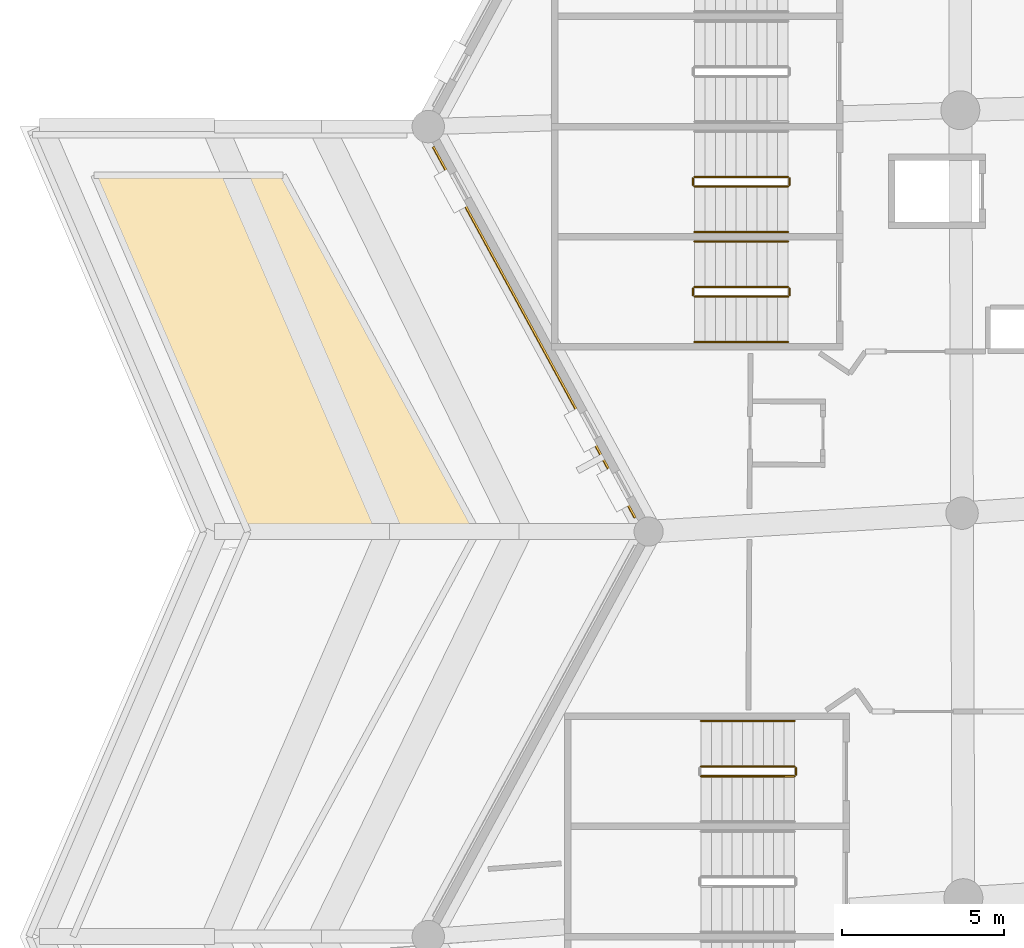
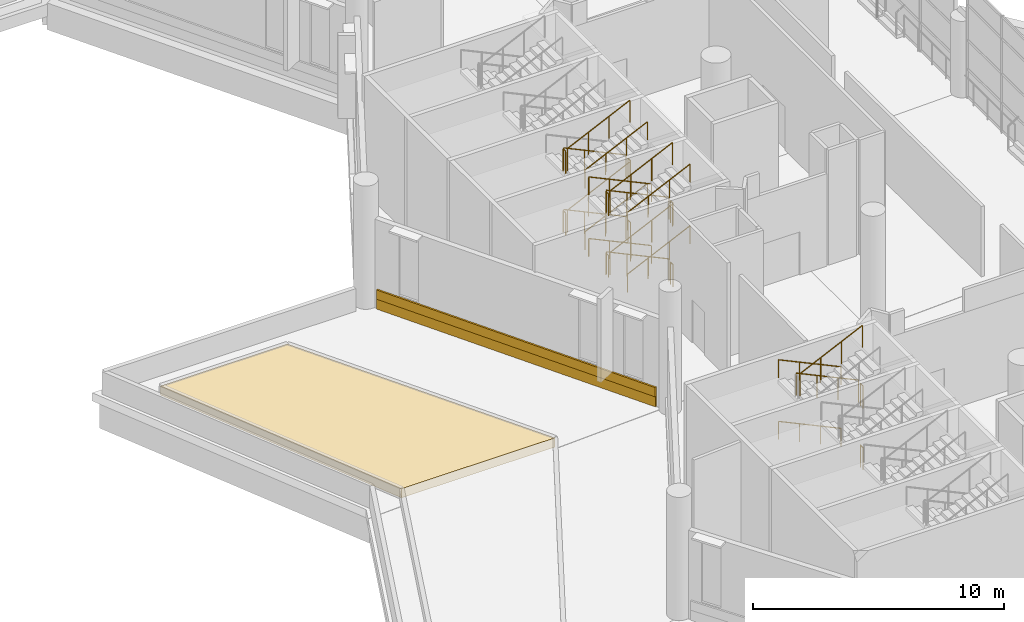
# One storey, part 122 of 173: 28 railings, 3 coverings.
"""IFC4 building model written with IfcOpenShell, lengths in metres."""

import ifcopenshell
import ifcopenshell.guid

model = None  # the IFC model being written
_history = None  # IfcOwnerHistory: only IFC2X3 demands one
_inside = {}  # id of a spatial element -> (the spatial element, [elements in it])
_under = {}  # id of a project, library or spatial element -> (it, [spatial elements below it])
_declared = {}  # id of a project -> (the project, [libraries it declares])
_typed = {}  # id of a type object -> (the type object, [elements of that type])
_made_of = {}  # id of a material, layer set ... -> (it, [elements and type objects made of it])


def new_model(schema):
    """Start an empty IFC model of exactly this schema.

    Asked for "IFC4X3", IfcOpenShell would pick the latest addendum, in which some entities
    have other attributes; the version numbers below select the first issue.
    IFC2X3 requires an IfcOwnerHistory on every rooted entity: one is made here for all.
    """
    global model, _history
    if schema == "IFC4X3":
        model = ifcopenshell.file(schema_version=(4, 3, 0, 0))
    else:
        model = ifcopenshell.file(schema=schema)
    _inside.clear()
    _under.clear()
    _declared.clear()
    _typed.clear()
    _made_of.clear()
    _history = None
    if model.schema == "IFC2X3":
        org = make("IfcOrganization", Name="unknown")
        user = make(
            "IfcPersonAndOrganization",
            ThePerson=make("IfcPerson", FamilyName="unknown"),
            TheOrganization=org,
        )
        app = make(
            "IfcApplication",
            ApplicationDeveloper=org,
            Version="unknown",
            ApplicationFullName="unknown",
            ApplicationIdentifier="unknown",
        )
        _history = make(
            "IfcOwnerHistory",
            OwningUser=user,
            OwningApplication=app,
            ChangeAction="ADDED",
            CreationDate=0,
        )
    return model


def make(cls, **values):
    """One entity of the class cls with the attributes given. An attribute that is None is left unset."""
    return model.create_entity(
        cls, **{name: value for name, value in values.items() if value is not None}
    )


def rooted(cls, **values):
    """An entity with a GlobalId (a new one), such as an element, a storey or a relation."""
    return make(cls, GlobalId=ifcopenshell.guid.new(), OwnerHistory=_history, **values)


def si_unit(unit_type, name, prefix=None):
    """IfcSIUnit, for example si_unit("LENGTHUNIT", "METRE", prefix="MILLI")."""
    return make("IfcSIUnit", UnitType=unit_type, Prefix=prefix, Name=name)


def assignment(units):
    """IfcUnitAssignment: the units of a project."""
    return None if units is None else make("IfcUnitAssignment", Units=units)


def point(xyz):
    """IfcCartesianPoint."""
    return None if xyz is None else make("IfcCartesianPoint", Coordinates=xyz)


def direction(xyz):
    """IfcDirection."""
    return None if xyz is None else make("IfcDirection", DirectionRatios=xyz)


def frame(location, z_axis=None, x_axis=None):
    """IfcAxis2Placement3D, a coordinate frame: its origin and axes. An axis left out is left unset."""
    return make(
        "IfcAxis2Placement3D",
        Location=point(location),
        Axis=direction(z_axis),
        RefDirection=direction(x_axis),
    )


def frame_2d(location, x_axis=None):
    """IfcAxis2Placement2D, a coordinate frame in the plane: its origin and x axis."""
    return make(
        "IfcAxis2Placement2D", Location=point(location), RefDirection=direction(x_axis)
    )


def origin():
    """The frame at (0, 0, 0) with its axes left unset."""
    return frame((0.0, 0.0, 0.0))


def origin_2d():
    """The frame at (0, 0) in the plane with its x axis left unset."""
    return frame_2d((0.0, 0.0))


def place(relative_to, where):
    """IfcLocalPlacement: puts the frame where relative to a parent placement (None: the world)."""
    return make(
        "IfcLocalPlacement", PlacementRelTo=relative_to, RelativePlacement=where
    )


def context(
    kind, dimensions, precision=None, world=None, true_north=None, identifier=None
):
    """IfcGeometricRepresentationContext, for example the 3D "Model" context."""
    return make(
        "IfcGeometricRepresentationContext",
        ContextIdentifier=identifier,
        ContextType=kind,
        CoordinateSpaceDimension=dimensions,
        Precision=precision,
        WorldCoordinateSystem=world,
        TrueNorth=true_north,
    )


def subcontext(parent, identifier, kind, view, scale=None):
    """IfcGeometricRepresentationSubContext, for example "Body" below "Model"."""
    return make(
        "IfcGeometricRepresentationSubContext",
        ContextIdentifier=identifier,
        ContextType=kind,
        ParentContext=parent,
        TargetScale=scale,
        TargetView=view,
    )


def project(units=None, contexts=None):
    """IfcProject with its units and contexts."""
    return rooted(
        "IfcProject",
        Name="project",
        RepresentationContexts=contexts,
        UnitsInContext=assignment(units),
    )


def spatial(cls, under=None, at=None, **own):
    """A site, building, storey or space (cls), placed at a placement, below another one or the project."""
    s = rooted(cls, ObjectPlacement=at, **own)
    if under is not None:
        _under.setdefault(under.id(), (under, []))[1].append(s)
    return s


def polyline(points):
    """IfcPolyline through the points."""
    return make("IfcPolyline", Points=[point(p) for p in points])


def profile(cls, at=None, kind="AREA", **sizes):
    """A parametric profile (cls). Its sizes go by their IFC names, for example OverallWidth=200.0."""
    return make(cls, ProfileType=kind, Position=at, **sizes)


def rectangle(**sizes):
    """IfcRectangleProfileDef."""
    return profile("IfcRectangleProfileDef", **sizes)


def circle(**sizes):
    """IfcCircleProfileDef."""
    return profile("IfcCircleProfileDef", **sizes)


def outline(outer, holes=None, kind="AREA"):
    """IfcArbitraryClosedProfileDef: a profile drawn as a closed curve; with holes, ...WithVoids."""
    if holes is None:
        return make("IfcArbitraryClosedProfileDef", ProfileType=kind, OuterCurve=outer)
    return make(
        "IfcArbitraryProfileDefWithVoids",
        ProfileType=kind,
        OuterCurve=outer,
        InnerCurves=holes,
    )


def extrude(swept, where, along, depth):
    """IfcExtrudedAreaSolid: the profile swept, set in the frame where, extruded along a direction by depth."""
    return make(
        "IfcExtrudedAreaSolid",
        SweptArea=swept,
        Position=where,
        ExtrudedDirection=direction(along),
        Depth=depth,
    )


def shape(context_of_items, identifier, shape_type, items):
    """IfcShapeRepresentation: the items that make up one representation, for example the "Body"."""
    return make(
        "IfcShapeRepresentation",
        ContextOfItems=context_of_items,
        RepresentationIdentifier=identifier,
        RepresentationType=shape_type,
        Items=items,
    )


def material(Name=None, Category=None):
    """IfcMaterial."""
    return make("IfcMaterial", Name=Name, Category=Category)


def layer(
    of_material, thickness, ventilated=None, Name=None, Category=None, Priority=None
):
    """IfcMaterialLayer: one layer of a wall or slab, of a material (None: an air gap)."""
    return make(
        "IfcMaterialLayer",
        Material=of_material,
        LayerThickness=thickness,
        IsVentilated=ventilated,
        Name=Name,
        Category=Category,
        Priority=Priority,
    )


def layer_set(layers, Name=None):
    """IfcMaterialLayerSet."""
    return make("IfcMaterialLayerSet", MaterialLayers=layers, LayerSetName=Name)


def made_of(thing, what):
    """Note that an element or type object is made of a material, layer set ...; save() writes the relation."""
    if what is not None:
        _made_of.setdefault(what.id(), (what, []))[1].append(thing)
    return thing


def type_object(cls, material=None, **own):
    """A type object (cls), such as IfcWallType, which elements share."""
    return made_of(rooted(cls, **own), material)


def element(
    cls,
    number,
    at=None,
    inside=None,
    cuts=None,
    type_object=None,
    material=None,
    context=None,
    identifier="Body",
    shape_type=None,
    held_by="IfcProductDefinitionShape",
    body=None,
    shapes=None,
    **own,
):
    """One element of the class cls, such as IfcWall. Its Tag is "e" and its number.

    at: its placement. inside: the storey or other place that contains it. cuts: it is an
    opening in that element (IfcRelVoidsElement). A single representation is given by context,
    identifier, shape_type and body (its items); several are given by shapes. held_by: the class
    of the entity that holds the representations. save() writes the other relations.
    """
    e = rooted(cls, Tag="e%d" % number, ObjectPlacement=at, **own)
    if body is not None:
        shapes = [shape(context, identifier, shape_type, body)]
    if shapes is not None:
        e.Representation = make(held_by, Representations=shapes)
    if inside is not None:
        _inside.setdefault(inside.id(), (inside, []))[1].append(e)
    if cuts is not None:
        rooted(
            "IfcRelVoidsElement", RelatingBuildingElement=cuts, RelatedOpeningElement=e
        )
    if type_object is not None:
        _typed.setdefault(type_object.id(), (type_object, []))[1].append(e)
    return made_of(e, material)


def aggregate(whole, parts):
    """IfcRelAggregates: a whole, such as a stair, and the parts it consists of."""
    return rooted("IfcRelAggregates", RelatingObject=whole, RelatedObjects=parts)


def save(model, path):
    """Write the relations noted so far, then the file.

    IfcRelAggregates (storeys below a building ...), IfcRelContainedInSpatialStructure (elements
    in a storey), IfcRelDefinesByType, IfcRelAssociatesMaterial and IfcRelDeclares: one each for
    every whole, place, type object, material and project.
    """
    for whole, parts in _under.values():
        aggregate(whole, parts)
    for where, things in _inside.values():
        rooted(
            "IfcRelContainedInSpatialStructure",
            RelatedElements=things,
            RelatingStructure=where,
        )
    for kind, things in _typed.values():
        rooted("IfcRelDefinesByType", RelatedObjects=things, RelatingType=kind)
    for what, things in _made_of.values():
        rooted("IfcRelAssociatesMaterial", RelatedObjects=things, RelatingMaterial=what)
    for by, libraries in _declared.values():
        rooted("IfcRelDeclares", RelatingContext=by, RelatedDefinitions=libraries)
    model.write(path)


model = new_model("IFC4")

# Units and contexts
model_context = context("Model", 3, precision=1e-05, world=origin(), true_north=direction((0.0, 1.0)))
body_context = subcontext(model_context, "Body", "Model", "MODEL_VIEW")
ifc_project = project(units=[si_unit("LENGTHUNIT", "METRE"), si_unit("AREAUNIT", "SQUARE_METRE"), si_unit("VOLUMEUNIT", "CUBIC_METRE"), si_unit("PLANEANGLEUNIT", "RADIAN"), si_unit("MASSUNIT", "GRAM", prefix="KILO")], contexts=[model_context])

# Site, building, storey
site_placement = place(None, origin())
site = spatial("IfcSite", under=ifc_project, at=site_placement, CompositionType="ELEMENT")
building_placement = place(site_placement, origin())
building = spatial("IfcBuilding", under=site, at=building_placement, Name="Meseta Stadium", CompositionType="ELEMENT")
storey_placement = place(building_placement, frame((0.0, 0.0, 18.0)))
storey = spatial("IfcBuildingStorey", under=building, at=storey_placement, Name="L03", CompositionType="ELEMENT", Elevation=18.0)

# Coverings
ifc_material_1 = material(Name="Guadarrama granite cladding", Category="masonry")
ifc_layer_1 = layer(ifc_material_1, 0.06005859375)
ifc_layer_set_1 = layer_set([ifc_layer_1], Name="Granite plinth cladding 60")
covering_type_1 = type_object("IfcCoveringType", Name="Granite plinth cladding 60", PredefinedType="CLADDING", material=ifc_layer_set_1)
covering_1_placement = place(storey_placement, frame((-98.124267578125, -25.095947265625, 0.0), z_axis=(0.0, 0.0, 1.0), x_axis=(-0.47786723231, 0.878432073802, 0.0)))
element("IfcCovering", 1, at=covering_1_placement, inside=storey, type_object=covering_type_1, Name="Granite plinth L03 F34", PredefinedType="CLADDING", context=body_context, shape_type="SweptSolid", body=[
    extrude(rectangle(XDim=13.040283203125, YDim=0.06005859375, at=origin_2d()), origin(), (0.0, 0.0, 1.0), 0.5),
])
ifc_material_2 = material(Name="Planting soil")
ifc_layer_2 = layer(ifc_material_2, 0.449951171875)
ifc_layer_set_2 = layer_set([ifc_layer_2], Name="Planting soil 450")
covering_type_2 = type_object("IfcCoveringType", Name="Planting soil 450", PredefinedType="FLOORING", material=ifc_layer_set_2)
covering_2_placement = place(storey_placement, origin())
element("IfcCovering", 2, at=covering_2_placement, inside=storey, type_object=covering_type_2, Name="Roof garden planting bed 5.1 panel 03", PredefinedType="FLOORING", context=body_context, shape_type="SweptSolid", body=[
    extrude(outline(polyline([(-111.718017578125, -20.25), (-106.966064453125, -31.25), (-99.8935546875, -31.25), (-105.87744140625, -20.25), (-111.718017578125, -20.25)])), origin(), (0.0, 0.0, 1.0), 0.449951171875),
])

# Railings
ifc_material_3 = material(Name="Steel S355", Category="steel")
railing_type_1 = type_object("IfcRailingType", Name="Stair guard 1100", PredefinedType="GUARDRAIL", material=ifc_material_3)
railing_1_placement = place(storey_placement, frame((-90.300048828125, -20.300048828125, 0.14990234375)))
element("IfcRailing", 3, at=railing_1_placement, inside=storey, type_object=railing_type_1, Name="ST71 L03 guard 1", PredefinedType="GUARDRAIL", context=body_context, shape_type="SweptSolid", body=[
    extrude(circle(Radius=0.02392578125, at=origin_2d()), frame((0.0, 0.0, 1.076171875), z_axis=(-0.905440498372, 0.0, 0.424473207528), x_axis=(0.0, -1.0, 0.0)), (0.0, 0.0, 1.0), 3.1806640625),
    extrude(circle(Radius=0.02099609375, at=origin_2d()), origin(), (0.0, 0.0, 1.0), 1.052001953125),
    extrude(circle(Radius=0.02099609375, at=origin_2d()), frame((-0.9599609375, 0.0, 0.449951171875)), (0.0, 0.0, 1.0), 1.052001953125),
    extrude(circle(Radius=0.02099609375, at=origin_2d()), frame((-1.919921875, 0.0, 0.900146484375)), (0.0, 0.0, 1.0), 1.052001953125),
    extrude(circle(Radius=0.02099609375, at=origin_2d()), frame((-2.8798828125, 0.0, 1.35009765625)), (0.0, 0.0, 1.0), 1.052001953125),
])
railing_2_placement = place(storey_placement, frame((-93.22998046875, -20.35009765625, 1.5)))
element("IfcRailing", 4, at=railing_2_placement, inside=storey, type_object=railing_type_1, Name="ST71 L03 guard 2", PredefinedType="GUARDRAIL", context=body_context, shape_type="SweptSolid", body=[
    extrude(circle(Radius=0.02392578125, at=origin_2d()), frame((0.0, 0.0, 1.076171875), z_axis=(0.0, -1.0, 0.0), x_axis=(1.0, 0.0, 0.0)), (0.0, 0.0, 1.0), 0.199951171875),
    extrude(circle(Radius=0.02099609375, at=origin_2d()), origin(), (0.0, 0.0, 1.0), 1.052001953125),
    extrude(circle(Radius=0.02099609375, at=origin_2d()), frame((0.0, -0.199951171875, 0.0)), (0.0, 0.0, 1.0), 1.052001953125),
])
railing_3_placement = place(storey_placement, frame((-93.179931640625, -20.60009765625, 1.64990234375)))
element("IfcRailing", 5, at=railing_3_placement, inside=storey, type_object=railing_type_1, Name="ST71 L03 guard 3", PredefinedType="GUARDRAIL", context=body_context, shape_type="SweptSolid", body=[
    extrude(circle(Radius=0.02392578125, at=origin_2d()), frame((0.0, 0.0, 1.076171875), z_axis=(0.905440498372, 0.0, 0.424473207528), x_axis=(0.0, 1.0, 0.0)), (0.0, 0.0, 1.0), 3.1806640625),
    extrude(circle(Radius=0.02099609375, at=origin_2d()), origin(), (0.0, 0.0, 1.0), 1.052001953125),
    extrude(circle(Radius=0.02099609375, at=origin_2d()), frame((0.9599609375, 0.0, 0.449951171875)), (0.0, 0.0, 1.0), 1.052001953125),
    extrude(circle(Radius=0.02099609375, at=origin_2d()), frame((1.919921875, 0.0, 0.900146484375)), (0.0, 0.0, 1.0), 1.052001953125),
    extrude(circle(Radius=0.02099609375, at=origin_2d()), frame((2.8798828125, 0.0, 1.35009765625)), (0.0, 0.0, 1.0), 1.052001953125),
])
railing_4_placement = place(storey_placement, frame((-90.25, -20.35009765625, 3.0)))
element("IfcRailing", 6, at=railing_4_placement, inside=storey, type_object=railing_type_1, Name="ST71 L03 guard 4", PredefinedType="GUARDRAIL", context=body_context, shape_type="SweptSolid", body=[
    extrude(circle(Radius=0.02392578125, at=origin_2d()), frame((0.0, 0.0, 1.076171875), z_axis=(0.0, -1.0, 0.0), x_axis=(1.0, 0.0, 0.0)), (0.0, 0.0, 1.0), 0.199951171875),
    extrude(circle(Radius=0.02099609375, at=origin_2d()), origin(), (0.0, 0.0, 1.0), 1.052001953125),
    extrude(circle(Radius=0.02099609375, at=origin_2d()), frame((0.0, -0.199951171875, 0.0)), (0.0, 0.0, 1.0), 1.052001953125),
])
railing_5_placement = place(storey_placement, frame((-90.300048828125, -20.300048828125, 3.14990234375)))
element("IfcRailing", 7, at=railing_5_placement, inside=storey, type_object=railing_type_1, Name="ST71 L03 guard 5", PredefinedType="GUARDRAIL", context=body_context, shape_type="SweptSolid", body=[
    extrude(circle(Radius=0.02392578125, at=origin_2d()), frame((0.0, 0.0, 1.076171875), z_axis=(-0.905440498372, 0.0, 0.424473207528), x_axis=(0.0, -1.0, 0.0)), (0.0, 0.0, 1.0), 3.1806640625),
    extrude(circle(Radius=0.02099609375, at=origin_2d()), origin(), (0.0, 0.0, 1.0), 1.052001953125),
    extrude(circle(Radius=0.02099609375, at=origin_2d()), frame((-0.9599609375, 0.0, 0.449951171875)), (0.0, 0.0, 1.0), 1.052001953125),
    extrude(circle(Radius=0.02099609375, at=origin_2d()), frame((-1.919921875, 0.0, 0.900146484375)), (0.0, 0.0, 1.0), 1.052001953125),
    extrude(circle(Radius=0.02099609375, at=origin_2d()), frame((-2.8798828125, 0.0, 1.35009765625)), (0.0, 0.0, 1.0), 1.052001953125),
])
railing_6_placement = place(storey_placement, frame((-93.22998046875, -20.35009765625, 4.5)))
element("IfcRailing", 8, at=railing_6_placement, inside=storey, type_object=railing_type_1, Name="ST71 L03 guard 6", PredefinedType="GUARDRAIL", context=body_context, shape_type="SweptSolid", body=[
    extrude(circle(Radius=0.02392578125, at=origin_2d()), frame((0.0, 0.0, 1.076171875), z_axis=(0.0, -1.0, 0.0), x_axis=(1.0, 0.0, 0.0)), (0.0, 0.0, 1.0), 0.199951171875),
    extrude(circle(Radius=0.02099609375, at=origin_2d()), origin(), (0.0, 0.0, 1.0), 1.052001953125),
    extrude(circle(Radius=0.02099609375, at=origin_2d()), frame((0.0, -0.199951171875, 0.0)), (0.0, 0.0, 1.0), 1.052001953125),
])
railing_7_placement = place(storey_placement, frame((-93.179931640625, -20.60009765625, 4.64990234375)))
element("IfcRailing", 9, at=railing_7_placement, inside=storey, type_object=railing_type_1, Name="ST71 L03 guard 7", PredefinedType="GUARDRAIL", context=body_context, shape_type="SweptSolid", body=[
    extrude(circle(Radius=0.02392578125, at=origin_2d()), frame((0.0, 0.0, 1.076171875), z_axis=(0.905440498372, 0.0, 0.424473207528), x_axis=(0.0, 1.0, 0.0)), (0.0, 0.0, 1.0), 3.1806640625),
    extrude(circle(Radius=0.02099609375, at=origin_2d()), origin(), (0.0, 0.0, 1.0), 1.052001953125),
    extrude(circle(Radius=0.02099609375, at=origin_2d()), frame((0.9599609375, 0.0, 0.449951171875)), (0.0, 0.0, 1.0), 1.052001953125),
    extrude(circle(Radius=0.02099609375, at=origin_2d()), frame((1.919921875, 0.0, 0.900146484375)), (0.0, 0.0, 1.0), 1.052001953125),
    extrude(circle(Radius=0.02099609375, at=origin_2d()), frame((2.8798828125, 0.0, 1.35009765625)), (0.0, 0.0, 1.0), 1.052001953125),
])
railing_8_placement = place(storey_placement, frame((-90.25, -20.35009765625, 0.0)))
element("IfcRailing", 10, at=railing_8_placement, inside=storey, type_object=railing_type_1, Name="ST71 L03 guard 8", PredefinedType="GUARDRAIL", context=body_context, shape_type="SweptSolid", body=[
    extrude(circle(Radius=0.02392578125, at=origin_2d()), frame((0.0, 0.0, 1.076171875), z_axis=(0.0, -1.0, 0.0), x_axis=(1.0, 0.0, 0.0)), (0.0, 0.0, 1.0), 0.199951171875),
    extrude(circle(Radius=0.02099609375, at=origin_2d()), origin(), (0.0, 0.0, 1.0), 1.052001953125),
    extrude(circle(Radius=0.02099609375, at=origin_2d()), frame((0.0, -0.199951171875, 0.0)), (0.0, 0.0, 1.0), 1.052001953125),
])
railing_9_placement = place(storey_placement, frame((-90.300048828125, -23.699951171875, 0.14990234375)))
element("IfcRailing", 11, at=railing_9_placement, inside=storey, type_object=railing_type_1, Name="ST72 L03 guard 1", PredefinedType="GUARDRAIL", context=body_context, shape_type="SweptSolid", body=[
    extrude(circle(Radius=0.02392578125, at=origin_2d()), frame((0.0, 0.0, 1.076171875), z_axis=(-0.905440498372, 0.0, 0.424473207528), x_axis=(0.0, -1.0, 0.0)), (0.0, 0.0, 1.0), 3.1806640625),
    extrude(circle(Radius=0.02099609375, at=origin_2d()), origin(), (0.0, 0.0, 1.0), 1.052001953125),
    extrude(circle(Radius=0.02099609375, at=origin_2d()), frame((-0.9599609375, 0.0, 0.449951171875)), (0.0, 0.0, 1.0), 1.052001953125),
    extrude(circle(Radius=0.02099609375, at=origin_2d()), frame((-1.919921875, 0.0, 0.900146484375)), (0.0, 0.0, 1.0), 1.052001953125),
    extrude(circle(Radius=0.02099609375, at=origin_2d()), frame((-2.8798828125, 0.0, 1.35009765625)), (0.0, 0.0, 1.0), 1.052001953125),
])
railing_10_placement = place(storey_placement, frame((-93.22998046875, -23.75, 1.5)))
element("IfcRailing", 12, at=railing_10_placement, inside=storey, type_object=railing_type_1, Name="ST72 L03 guard 2", PredefinedType="GUARDRAIL", context=body_context, shape_type="SweptSolid", body=[
    extrude(circle(Radius=0.02392578125, at=origin_2d()), frame((0.0, 0.0, 1.076171875), z_axis=(0.0, -1.0, 0.0), x_axis=(1.0, 0.0, 0.0)), (0.0, 0.0, 1.0), 0.199951171875),
    extrude(circle(Radius=0.02099609375, at=origin_2d()), origin(), (0.0, 0.0, 1.0), 1.052001953125),
    extrude(circle(Radius=0.02099609375, at=origin_2d()), frame((0.0, -0.199951171875, 0.0)), (0.0, 0.0, 1.0), 1.052001953125),
])
railing_11_placement = place(storey_placement, frame((-93.179931640625, -24.0, 1.64990234375)))
element("IfcRailing", 13, at=railing_11_placement, inside=storey, type_object=railing_type_1, Name="ST72 L03 guard 3", PredefinedType="GUARDRAIL", context=body_context, shape_type="SweptSolid", body=[
    extrude(circle(Radius=0.02392578125, at=origin_2d()), frame((0.0, 0.0, 1.076171875), z_axis=(0.905440498372, 0.0, 0.424473207528), x_axis=(0.0, 1.0, 0.0)), (0.0, 0.0, 1.0), 3.1806640625),
    extrude(circle(Radius=0.02099609375, at=origin_2d()), origin(), (0.0, 0.0, 1.0), 1.052001953125),
    extrude(circle(Radius=0.02099609375, at=origin_2d()), frame((0.9599609375, 0.0, 0.449951171875)), (0.0, 0.0, 1.0), 1.052001953125),
    extrude(circle(Radius=0.02099609375, at=origin_2d()), frame((1.919921875, 0.0, 0.900146484375)), (0.0, 0.0, 1.0), 1.052001953125),
    extrude(circle(Radius=0.02099609375, at=origin_2d()), frame((2.8798828125, 0.0, 1.35009765625)), (0.0, 0.0, 1.0), 1.052001953125),
])
railing_12_placement = place(storey_placement, frame((-90.25, -23.75, 3.0)))
element("IfcRailing", 14, at=railing_12_placement, inside=storey, type_object=railing_type_1, Name="ST72 L03 guard 4", PredefinedType="GUARDRAIL", context=body_context, shape_type="SweptSolid", body=[
    extrude(circle(Radius=0.02392578125, at=origin_2d()), frame((0.0, 0.0, 1.076171875), z_axis=(0.0, -1.0, 0.0), x_axis=(1.0, 0.0, 0.0)), (0.0, 0.0, 1.0), 0.199951171875),
    extrude(circle(Radius=0.02099609375, at=origin_2d()), origin(), (0.0, 0.0, 1.0), 1.052001953125),
    extrude(circle(Radius=0.02099609375, at=origin_2d()), frame((0.0, -0.199951171875, 0.0)), (0.0, 0.0, 1.0), 1.052001953125),
])
railing_13_placement = place(storey_placement, frame((-90.300048828125, -23.699951171875, 3.14990234375)))
element("IfcRailing", 15, at=railing_13_placement, inside=storey, type_object=railing_type_1, Name="ST72 L03 guard 5", PredefinedType="GUARDRAIL", context=body_context, shape_type="SweptSolid", body=[
    extrude(circle(Radius=0.02392578125, at=origin_2d()), frame((0.0, 0.0, 1.076171875), z_axis=(-0.905440498372, 0.0, 0.424473207528), x_axis=(0.0, -1.0, 0.0)), (0.0, 0.0, 1.0), 3.1806640625),
    extrude(circle(Radius=0.02099609375, at=origin_2d()), origin(), (0.0, 0.0, 1.0), 1.052001953125),
    extrude(circle(Radius=0.02099609375, at=origin_2d()), frame((-0.9599609375, 0.0, 0.449951171875)), (0.0, 0.0, 1.0), 1.052001953125),
    extrude(circle(Radius=0.02099609375, at=origin_2d()), frame((-1.919921875, 0.0, 0.900146484375)), (0.0, 0.0, 1.0), 1.052001953125),
    extrude(circle(Radius=0.02099609375, at=origin_2d()), frame((-2.8798828125, 0.0, 1.35009765625)), (0.0, 0.0, 1.0), 1.052001953125),
])
railing_14_placement = place(storey_placement, frame((-93.22998046875, -23.75, 4.5)))
element("IfcRailing", 16, at=railing_14_placement, inside=storey, type_object=railing_type_1, Name="ST72 L03 guard 6", PredefinedType="GUARDRAIL", context=body_context, shape_type="SweptSolid", body=[
    extrude(circle(Radius=0.02392578125, at=origin_2d()), frame((0.0, 0.0, 1.076171875), z_axis=(0.0, -1.0, 0.0), x_axis=(1.0, 0.0, 0.0)), (0.0, 0.0, 1.0), 0.199951171875),
    extrude(circle(Radius=0.02099609375, at=origin_2d()), origin(), (0.0, 0.0, 1.0), 1.052001953125),
    extrude(circle(Radius=0.02099609375, at=origin_2d()), frame((0.0, -0.199951171875, 0.0)), (0.0, 0.0, 1.0), 1.052001953125),
])
railing_15_placement = place(storey_placement, frame((-93.179931640625, -24.0, 4.64990234375)))
element("IfcRailing", 17, at=railing_15_placement, inside=storey, type_object=railing_type_1, Name="ST72 L03 guard 7", PredefinedType="GUARDRAIL", context=body_context, shape_type="SweptSolid", body=[
    extrude(circle(Radius=0.02392578125, at=origin_2d()), frame((0.0, 0.0, 1.076171875), z_axis=(0.905440498372, 0.0, 0.424473207528), x_axis=(0.0, 1.0, 0.0)), (0.0, 0.0, 1.0), 3.1806640625),
    extrude(circle(Radius=0.02099609375, at=origin_2d()), origin(), (0.0, 0.0, 1.0), 1.052001953125),
    extrude(circle(Radius=0.02099609375, at=origin_2d()), frame((0.9599609375, 0.0, 0.449951171875)), (0.0, 0.0, 1.0), 1.052001953125),
    extrude(circle(Radius=0.02099609375, at=origin_2d()), frame((1.919921875, 0.0, 0.900146484375)), (0.0, 0.0, 1.0), 1.052001953125),
    extrude(circle(Radius=0.02099609375, at=origin_2d()), frame((2.8798828125, 0.0, 1.35009765625)), (0.0, 0.0, 1.0), 1.052001953125),
])
for number, where, name in (
    (18, (-90.25, -23.75, 0.0), "ST72 L03 guard 8"),
    (19, (-90.050048828125, -38.550048828125, 3.0), "ST73 L03 guard 4"),
):
    element("IfcRailing", number, at=place(storey_placement, frame(where)), inside=storey, type_object=railing_type_1, Name=name, PredefinedType="GUARDRAIL", context=body_context, shape_type="SweptSolid", body=[
        extrude(circle(Radius=0.02392578125, at=origin_2d()), frame((0.0, 0.0, 1.076171875), z_axis=(0.0, -1.0, 0.0), x_axis=(1.0, 0.0, 0.0)), (0.0, 0.0, 1.0), 0.199951171875),
        extrude(circle(Radius=0.02099609375, at=origin_2d()), origin(), (0.0, 0.0, 1.0), 1.052001953125),
        extrude(circle(Radius=0.02099609375, at=origin_2d()), frame((0.0, -0.199951171875, 0.0)), (0.0, 0.0, 1.0), 1.052001953125),
    ])
railing_16_placement = place(storey_placement, frame((-90.10009765625, -38.5, 3.14990234375)))
element("IfcRailing", 20, at=railing_16_placement, inside=storey, type_object=railing_type_1, Name="ST73 L03 guard 5", PredefinedType="GUARDRAIL", context=body_context, shape_type="SweptSolid", body=[
    extrude(circle(Radius=0.02392578125, at=origin_2d()), frame((0.0, 0.0, 1.076171875), z_axis=(-0.905440498372, 0.0, 0.424473207528), x_axis=(0.0, -1.0, 0.0)), (0.0, 0.0, 1.0), 3.1806640625),
    extrude(circle(Radius=0.02099609375, at=origin_2d()), origin(), (0.0, 0.0, 1.0), 1.052001953125),
    extrude(circle(Radius=0.02099609375, at=origin_2d()), frame((-0.9599609375, 0.0, 0.449951171875)), (0.0, 0.0, 1.0), 1.052001953125),
    extrude(circle(Radius=0.02099609375, at=origin_2d()), frame((-1.919921875, 0.0, 0.900146484375)), (0.0, 0.0, 1.0), 1.052001953125),
    extrude(circle(Radius=0.02099609375, at=origin_2d()), frame((-2.8798828125, 0.0, 1.35009765625)), (0.0, 0.0, 1.0), 1.052001953125),
])
railing_17_placement = place(storey_placement, frame((-92.97998046875, -38.800048828125, 4.64990234375)))
element("IfcRailing", 21, at=railing_17_placement, inside=storey, type_object=railing_type_1, Name="ST73 L03 guard 7", PredefinedType="GUARDRAIL", context=body_context, shape_type="SweptSolid", body=[
    extrude(circle(Radius=0.02392578125, at=origin_2d()), frame((0.0, 0.0, 1.076171875), z_axis=(0.905440498372, 0.0, 0.424473207528), x_axis=(0.0, 1.0, 0.0)), (0.0, 0.0, 1.0), 3.1806640625),
    extrude(circle(Radius=0.02099609375, at=origin_2d()), origin(), (0.0, 0.0, 1.0), 1.052001953125),
    extrude(circle(Radius=0.02099609375, at=origin_2d()), frame((0.9599609375, 0.0, 0.449951171875)), (0.0, 0.0, 1.0), 1.052001953125),
    extrude(circle(Radius=0.02099609375, at=origin_2d()), frame((1.919921875, 0.0, 0.900146484375)), (0.0, 0.0, 1.0), 1.052001953125),
    extrude(circle(Radius=0.02099609375, at=origin_2d()), frame((2.8798828125, 0.0, 1.35009765625)), (0.0, 0.0, 1.0), 1.052001953125),
])
railing_18_placement = place(storey_placement, frame((-90.050048828125, -38.550048828125, 0.0)))
element("IfcRailing", 22, at=railing_18_placement, inside=storey, type_object=railing_type_1, Name="ST73 L03 guard 8", PredefinedType="GUARDRAIL", context=body_context, shape_type="SweptSolid", body=[
    extrude(circle(Radius=0.02392578125, at=origin_2d()), frame((0.0, 0.0, 1.076171875), z_axis=(0.0, -1.0, 0.0), x_axis=(1.0, 0.0, 0.0)), (0.0, 0.0, 1.0), 0.199951171875),
    extrude(circle(Radius=0.02099609375, at=origin_2d()), origin(), (0.0, 0.0, 1.0), 1.052001953125),
    extrude(circle(Radius=0.02099609375, at=origin_2d()), frame((0.0, -0.199951171875, 0.0)), (0.0, 0.0, 1.0), 1.052001953125),
])
ifc_material_4 = material(Name="Steel S355", Category="steel")
railing_type_2 = type_object("IfcRailingType", Name="Stair handrail 900", PredefinedType="HANDRAIL", material=ifc_material_4)
for number, where, name in (
    (23, (-93.179931640625, -22.0, 1.64990234375), "ST71 L03 handrail 2"),
    (24, (-93.179931640625, -22.0, 4.64990234375), "ST71 L03 handrail 4"),
):
    element("IfcRailing", number, at=place(storey_placement, frame(where)), inside=storey, type_object=railing_type_2, Name=name, PredefinedType="HANDRAIL", context=body_context, shape_type="SweptSolid", body=[
        extrude(circle(Radius=0.02392578125, at=origin_2d()), frame((0.0, 0.0, 0.8759765625), z_axis=(0.905440498372, 0.0, 0.424473207528), x_axis=(0.0, 1.0, 0.0)), (0.0, 0.0, 1.0), 3.1806640625),
        extrude(circle(Radius=0.02099609375, at=origin_2d()), origin(), (0.0, 0.0, 1.0), 0.851806640625),
        extrude(circle(Radius=0.02099609375, at=origin_2d()), frame((0.9599609375, 0.0, 0.449951171875)), (0.0, 0.0, 1.0), 0.851806640625),
        extrude(circle(Radius=0.02099609375, at=origin_2d()), frame((1.919921875, 0.0, 0.900146484375)), (0.0, 0.0, 1.0), 0.851806640625),
        extrude(circle(Radius=0.02099609375, at=origin_2d()), frame((2.8798828125, 0.0, 1.35009765625)), (0.0, 0.0, 1.0), 0.851806640625),
    ])
railing_19_placement = place(storey_placement, frame((-90.300048828125, -22.300048828125, 0.14990234375)))
element("IfcRailing", 25, at=railing_19_placement, inside=storey, type_object=railing_type_2, Name="ST72 L03 handrail 1", PredefinedType="HANDRAIL", context=body_context, shape_type="SweptSolid", body=[
    extrude(circle(Radius=0.02392578125, at=origin_2d()), frame((0.0, 0.0, 0.8759765625), z_axis=(-0.905440498372, 0.0, 0.424473207528), x_axis=(0.0, -1.0, 0.0)), (0.0, 0.0, 1.0), 3.1806640625),
    extrude(circle(Radius=0.02099609375, at=origin_2d()), origin(), (0.0, 0.0, 1.0), 0.851806640625),
    extrude(circle(Radius=0.02099609375, at=origin_2d()), frame((-0.9599609375, 0.0, 0.449951171875)), (0.0, 0.0, 1.0), 0.851806640625),
    extrude(circle(Radius=0.02099609375, at=origin_2d()), frame((-1.919921875, 0.0, 0.900146484375)), (0.0, 0.0, 1.0), 0.851806640625),
    extrude(circle(Radius=0.02099609375, at=origin_2d()), frame((-2.8798828125, 0.0, 1.35009765625)), (0.0, 0.0, 1.0), 0.851806640625),
])
railing_20_placement = place(storey_placement, frame((-93.179931640625, -25.39990234375, 1.64990234375)))
element("IfcRailing", 26, at=railing_20_placement, inside=storey, type_object=railing_type_2, Name="ST72 L03 handrail 2", PredefinedType="HANDRAIL", context=body_context, shape_type="SweptSolid", body=[
    extrude(circle(Radius=0.02392578125, at=origin_2d()), frame((0.0, 0.0, 0.8759765625), z_axis=(0.905440498372, 0.0, 0.424473207528), x_axis=(0.0, 1.0, 0.0)), (0.0, 0.0, 1.0), 3.1806640625),
    extrude(circle(Radius=0.02099609375, at=origin_2d()), origin(), (0.0, 0.0, 1.0), 0.851806640625),
    extrude(circle(Radius=0.02099609375, at=origin_2d()), frame((0.9599609375, 0.0, 0.449951171875)), (0.0, 0.0, 1.0), 0.851806640625),
    extrude(circle(Radius=0.02099609375, at=origin_2d()), frame((1.919921875, 0.0, 0.900146484375)), (0.0, 0.0, 1.0), 0.851806640625),
    extrude(circle(Radius=0.02099609375, at=origin_2d()), frame((2.8798828125, 0.0, 1.35009765625)), (0.0, 0.0, 1.0), 0.851806640625),
])
railing_21_placement = place(storey_placement, frame((-90.300048828125, -22.300048828125, 3.14990234375)))
element("IfcRailing", 27, at=railing_21_placement, inside=storey, type_object=railing_type_2, Name="ST72 L03 handrail 3", PredefinedType="HANDRAIL", context=body_context, shape_type="SweptSolid", body=[
    extrude(circle(Radius=0.02392578125, at=origin_2d()), frame((0.0, 0.0, 0.8759765625), z_axis=(-0.905440498372, 0.0, 0.424473207528), x_axis=(0.0, -1.0, 0.0)), (0.0, 0.0, 1.0), 3.1806640625),
    extrude(circle(Radius=0.02099609375, at=origin_2d()), origin(), (0.0, 0.0, 1.0), 0.851806640625),
    extrude(circle(Radius=0.02099609375, at=origin_2d()), frame((-0.9599609375, 0.0, 0.449951171875)), (0.0, 0.0, 1.0), 0.851806640625),
    extrude(circle(Radius=0.02099609375, at=origin_2d()), frame((-1.919921875, 0.0, 0.900146484375)), (0.0, 0.0, 1.0), 0.851806640625),
    extrude(circle(Radius=0.02099609375, at=origin_2d()), frame((-2.8798828125, 0.0, 1.35009765625)), (0.0, 0.0, 1.0), 0.851806640625),
])
railing_22_placement = place(storey_placement, frame((-93.179931640625, -25.39990234375, 4.64990234375)))
element("IfcRailing", 28, at=railing_22_placement, inside=storey, type_object=railing_type_2, Name="ST72 L03 handrail 4", PredefinedType="HANDRAIL", context=body_context, shape_type="SweptSolid", body=[
    extrude(circle(Radius=0.02392578125, at=origin_2d()), frame((0.0, 0.0, 0.8759765625), z_axis=(0.905440498372, 0.0, 0.424473207528), x_axis=(0.0, 1.0, 0.0)), (0.0, 0.0, 1.0), 3.1806640625),
    extrude(circle(Radius=0.02099609375, at=origin_2d()), origin(), (0.0, 0.0, 1.0), 0.851806640625),
    extrude(circle(Radius=0.02099609375, at=origin_2d()), frame((0.9599609375, 0.0, 0.449951171875)), (0.0, 0.0, 1.0), 0.851806640625),
    extrude(circle(Radius=0.02099609375, at=origin_2d()), frame((1.919921875, 0.0, 0.900146484375)), (0.0, 0.0, 1.0), 0.851806640625),
    extrude(circle(Radius=0.02099609375, at=origin_2d()), frame((2.8798828125, 0.0, 1.35009765625)), (0.0, 0.0, 1.0), 0.851806640625),
])
for number, where, name in (
    (29, (-90.10009765625, -37.10009765625, 0.14990234375), "ST73 L03 handrail 1"),
    (30, (-90.10009765625, -37.10009765625, 3.14990234375), "ST73 L03 handrail 3"),
):
    element("IfcRailing", number, at=place(storey_placement, frame(where)), inside=storey, type_object=railing_type_2, Name=name, PredefinedType="HANDRAIL", context=body_context, shape_type="SweptSolid", body=[
        extrude(circle(Radius=0.02392578125, at=origin_2d()), frame((0.0, 0.0, 0.8759765625), z_axis=(-0.905440498372, 0.0, 0.424473207528), x_axis=(0.0, -1.0, 0.0)), (0.0, 0.0, 1.0), 3.1806640625),
        extrude(circle(Radius=0.02099609375, at=origin_2d()), origin(), (0.0, 0.0, 1.0), 0.851806640625),
        extrude(circle(Radius=0.02099609375, at=origin_2d()), frame((-0.9599609375, 0.0, 0.449951171875)), (0.0, 0.0, 1.0), 0.851806640625),
        extrude(circle(Radius=0.02099609375, at=origin_2d()), frame((-1.919921875, 0.0, 0.900146484375)), (0.0, 0.0, 1.0), 0.851806640625),
        extrude(circle(Radius=0.02099609375, at=origin_2d()), frame((-2.8798828125, 0.0, 1.35009765625)), (0.0, 0.0, 1.0), 0.851806640625),
    ])

# Covering
ifc_material_5 = material(Name="Precast concrete C40/50, terracotta pigment", Category="masonry")
ifc_layer_3 = layer(ifc_material_5, 0.080078125)
ifc_layer_set_3 = layer_set([ifc_layer_3], Name="Precast concrete C40/50, terracotta pigment")
covering_type_3 = type_object("IfcCoveringType", Name="Terracotta precast band 80", PredefinedType="CLADDING", material=ifc_layer_set_3)
covering_3_placement = place(storey_placement, frame((-98.133056640625, -25.100830078125, 0.5), z_axis=(0.0, 0.0, 1.0), x_axis=(-0.47786723231, 0.878432073802, 0.0)))
element("IfcCovering", 31, at=covering_3_placement, inside=storey, type_object=covering_type_3, Name="Terracotta band L03 F34", PredefinedType="CLADDING", context=body_context, shape_type="SweptSolid", body=[
    extrude(rectangle(XDim=13.040283203125, YDim=0.080078125, at=origin_2d()), origin(), (0.0, 0.0, 1.0), 0.449951171875),
])

save(model, "model.ifc")
